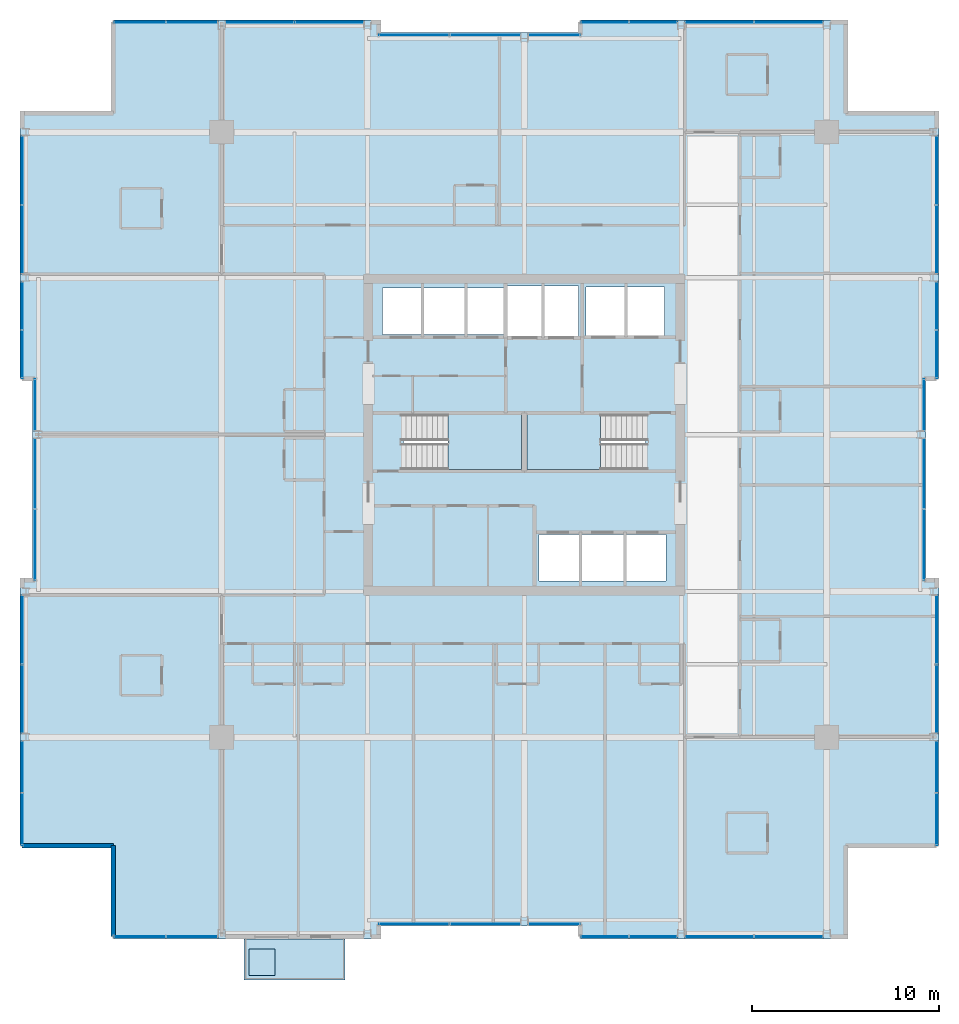
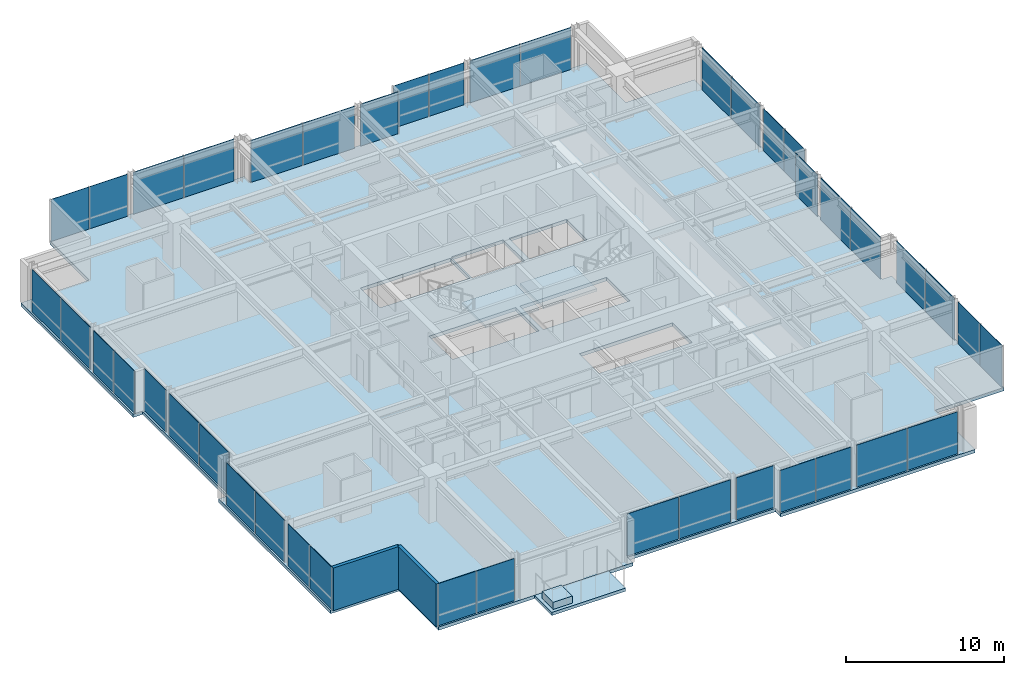
# One storey, part 25 of 32: 42 plates, 5 slabs, 2 walls, 25 elements without a shape of their own.
"""IFC4 building model written with IfcOpenShell, lengths in metres."""

from ifc_helpers import new_model, si_unit, direction, frame, frame_2d, origin, origin_2d, place, context, subcontext, project, spatial, polyline, rectangle, outline, extrude, material, layer, layer_set, type_object, element, aggregate, save


model = new_model("IFC4")

# Units and contexts
model_context = context("Model", 3, precision=1e-05, world=origin(), true_north=direction((0.0, 1.0)))
body_context = subcontext(model_context, "Body", "Model", "MODEL_VIEW")
ifc_project = project(units=[si_unit("LENGTHUNIT", "METRE"), si_unit("AREAUNIT", "SQUARE_METRE"), si_unit("VOLUMEUNIT", "CUBIC_METRE"), si_unit("PLANEANGLEUNIT", "RADIAN"), si_unit("MASSUNIT", "GRAM", prefix="KILO")], contexts=[model_context])

# Site, building, storey
site_placement = place(None, origin())
site = spatial("IfcSite", under=ifc_project, at=site_placement, CompositionType="ELEMENT")
building_placement = place(site_placement, origin())
building = spatial("IfcBuilding", under=site, at=building_placement, Name="Drelvath Grand Hotel", CompositionType="ELEMENT")
storey_placement = place(building_placement, frame((0.0, 0.0, 193.0)))
storey = spatial("IfcBuildingStorey", under=building, at=storey_placement, Name="L50", CompositionType="ELEMENT", Elevation=193.0)

# Slabs
ifc_material_1 = material(Name="Concrete f'c 40 MPa", Category="concrete")
ifc_layer_1 = layer(ifc_material_1, 0.239990234375)
ifc_layer_set_1 = layer_set([ifc_layer_1], Name="Concrete f'c 40 MPa")
slab_type_1 = type_object("IfcSlabType", Name="Cantilevered Tree Balcony Slab 240", PredefinedType="FLOOR", material=ifc_layer_set_1)
slab_1_placement = place(storey_placement, frame((0.0, 0.0, -0.239990234375)))
element("IfcSlab", 1, at=slab_1_placement, inside=storey, type_object=slab_type_1, Name="L50 Cantilevered Tree Balcony Slab 1", PredefinedType="FLOOR", context=body_context, shape_type="SweptSolid", body=[
    extrude(outline(polyline([(-15.0, -2.199951171875), (-9.60009765625, -2.199951171875), (-9.60009765625, 0.0), (-15.0, 0.0), (-15.0, -2.199951171875)])), origin(), (0.0, 0.0, 1.0), 0.239990234375),
])
ifc_layer_2 = layer(ifc_material_1, 0.260009765625)
ifc_layer_set_2 = layer_set([ifc_layer_2], Name="Concrete f'c 40 MPa")
slab_type_2 = type_object("IfcSlabType", Name="Composite RC Floor Slab 260", PredefinedType="FLOOR", material=ifc_layer_set_2)
slab_2_placement = place(storey_placement, frame((0.0, 0.0, -0.260009765625)))
element("IfcSlab", 2, at=slab_2_placement, inside=storey, type_object=slab_type_2, Name="L50 Structural Floor Slab", PredefinedType="FLOOR", context=body_context, shape_type="SweptSolid", body=[
    extrude(outline(polyline([(-22.0, 0.0), (-7.800048828125, 0.0), (-7.800048828125, 0.679931640625), (3.0, 0.679931640625), (3.0, 0.0), (17.199951171875, 0.0), (17.199951171875, 5.0), (22.199951171875, 5.0), (22.199951171875, 19.199951171875), (21.52001953125, 19.199951171875), (21.52001953125, 30.0), (22.199951171875, 30.0), (22.199951171875, 44.199951171875), (17.199951171875, 44.199951171875), (17.199951171875, 49.199951171875), (3.0, 49.199951171875), (3.0, 48.52001953125), (-7.800048828125, 48.52001953125), (-7.800048828125, 49.199951171875), (-22.0, 49.199951171875), (-22.0, 44.199951171875), (-27.0, 44.199951171875), (-27.0, 30.0), (-26.320068359375, 30.0), (-26.320068359375, 19.199951171875), (-27.0, 19.199951171875), (-27.0, 5.0), (-22.0, 5.0), (-22.0, 0.0)]), holes=[polyline([(-6.47998046875, 25.1201171875), (-6.47998046875, 28.080078125), (-0.14990234375, 28.080078125), (-0.14990234375, 25.1201171875), (-6.47998046875, 25.1201171875)]), polyline([(0.14990234375, 25.1201171875), (0.14990234375, 28.080078125), (6.47998046875, 28.080078125), (6.47998046875, 25.1201171875), (0.14990234375, 25.1201171875)]), polyline([(0.800048828125, 19.14990234375), (0.800048828125, 21.64990234375), (7.60009765625, 21.64990234375), (7.60009765625, 19.14990234375), (0.800048828125, 19.14990234375)]), polyline([(-7.60009765625, 32.35009765625), (-7.60009765625, 34.85009765625), (-1.02001953125, 34.85009765625), (-1.02001953125, 32.35009765625), (-7.60009765625, 32.35009765625)]), polyline([(-0.89990234375, 32.25), (-0.89990234375, 34.949951171875), (2.89990234375, 34.949951171875), (2.89990234375, 32.25), (-0.89990234375, 32.25)]), polyline([(3.300048828125, 32.300048828125), (3.300048828125, 34.89990234375), (7.5, 34.89990234375), (7.5, 32.300048828125), (3.300048828125, 32.300048828125)])]), origin(), (0.0, 0.0, 1.0), 0.260009765625),
])

# Stair, slab
ifc_material_2 = material(Name="Concrete C40/50", Category="concrete")
stair_type = type_object("IfcStairType", Name="Dogleg Exit Stair W1400-R177.5", PredefinedType="HALF_TURN_STAIR", material=ifc_material_2)
stair_1_placement = place(storey_placement, origin())
stair_1 = element("IfcStair", 3, at=stair_1_placement, inside=storey, type_object=stair_type, Name="L50 Core Exit Stair ST-1", PredefinedType="HALF_TURN_STAIR")
ifc_layer_3 = layer(ifc_material_2, 0.199951171875)
ifc_layer_set_3 = layer_set([ifc_layer_3], Name="Concrete C40/50")
slab_type_3 = type_object("IfcSlabType", Name="Concrete Stair Landing Slab 200", PredefinedType="LANDING", material=ifc_layer_set_3)
slab_3_placement = place(storey_placement, frame((0.0, 0.0, 1.574951171875)))
slab_3 = element("IfcSlab", 4, at=slab_3_placement, type_object=slab_type_3, Name="ST-1 landing 1", PredefinedType="LANDING", context=body_context, shape_type="SweptSolid", body=[
    extrude(outline(polyline([(-4.080078125, 25.1201171875), (-0.14990234375, 25.1201171875), (-0.14990234375, 28.080078125), (-4.080078125, 28.080078125), (-4.080078125, 25.1201171875)])), origin(), (0.0, 0.0, 1.0), 0.199951171875),
])
aggregate(stair_1, [slab_3])

stair_2_placement = place(storey_placement, origin())
stair_2 = element("IfcStair", 5, at=stair_2_placement, inside=storey, type_object=stair_type, Name="L50 Core Exit Stair ST-2", PredefinedType="HALF_TURN_STAIR")
slab_4_placement = place(storey_placement, frame((0.0, 0.0, 1.574951171875)))
slab_4 = element("IfcSlab", 6, at=slab_4_placement, type_object=slab_type_3, Name="ST-2 landing 1", PredefinedType="LANDING", context=body_context, shape_type="SweptSolid", body=[
    extrude(outline(polyline([(4.080078125, 28.080078125), (0.14990234375, 28.080078125), (0.14990234375, 25.1201171875), (4.080078125, 25.1201171875), (4.080078125, 28.080078125)])), origin(), (0.0, 0.0, 1.0), 0.199951171875),
])
aggregate(stair_2, [slab_4])

# Curtain wall, plates
ifc_material_3 = material(Name="Brushed Pale-Silver Anodised Aluminium Frame", Category="aluminium")
ifc_layer_4 = layer(ifc_material_3, 0.199951171875)
ifc_layer_set_4 = layer_set([ifc_layer_4], Name="Brushed Pale-Silver Anodised Aluminium Frame")
curtain_wall_type = type_object("IfcCurtainWallType", Name="Stick Curtain Wall CW-04 Brushed Silver Upper-Mid", PredefinedType="NOTDEFINED", material=ifc_layer_set_4)
curtain_wall_1_placement = place(storey_placement, origin())
curtain_wall_1 = element("IfcCurtainWall", 7, at=curtain_wall_1_placement, inside=storey, type_object=curtain_wall_type, Name="L50 CW-04 Curtain Wall CW04-L50-WS1", PredefinedType="NOTDEFINED")
ifc_material_4 = material(Name="Low-E Triple Silver Vision Glass Cool", Category="glass")
ifc_layer_5 = layer(ifc_material_4, 0.035888671875)
ifc_layer_set_5 = layer_set([ifc_layer_5], Name="Low-E Triple Silver Vision Glass Cool")
plate_type = type_object("IfcPlateType", Name="Curtain Wall Vision Panel CW-04 36mm", PredefinedType="CURTAIN_PANEL", material=ifc_layer_set_5)
plate_1_placement = place(storey_placement, frame((-26.8798828125, 6.402099609375, 0.02001953125), z_axis=(0.0, 0.0, 1.0), x_axis=(0.0, 1.0, 0.0)))
plate_1 = element("IfcPlate", 8, at=plate_1_placement, type_object=plate_type, Name="CW04-L50-WS1 Glazed Panel 1", PredefinedType="CURTAIN_PANEL", context=body_context, shape_type="SweptSolid", body=[
    extrude(rectangle(XDim=2.76416015625, YDim=0.035888671875, at=origin_2d()), origin(), (0.0, 0.0, 1.0), 3.25),
])
plate_2_placement = place(storey_placement, frame((-26.8798828125, 9.206298828125, 0.02001953125), z_axis=(0.0, 0.0, 1.0), x_axis=(0.0, 1.0, 0.0)))
plate_2 = element("IfcPlate", 9, at=plate_2_placement, type_object=plate_type, Name="CW04-L50-WS1 Glazed Panel 2", PredefinedType="CURTAIN_PANEL", context=body_context, shape_type="SweptSolid", body=[
    extrude(rectangle(XDim=2.76416015625, YDim=0.035888671875, at=origin_2d()), origin(), (0.0, 0.0, 1.0), 3.25),
])
aggregate(curtain_wall_1, [plate_1, plate_2])

curtain_wall_2_placement = place(storey_placement, origin())
curtain_wall_2 = element("IfcCurtainWall", 10, at=curtain_wall_2_placement, inside=storey, type_object=curtain_wall_type, Name="L50 CW-04 Curtain Wall CW04-L50-WS2", PredefinedType="NOTDEFINED")
plate_3_placement = place(storey_placement, frame((-26.8798828125, 12.845947265625, 0.02001953125), z_axis=(0.0, 0.0, 1.0), x_axis=(0.0, 1.0, 0.0)))
plate_3 = element("IfcPlate", 11, at=plate_3_placement, type_object=plate_type, Name="CW04-L50-WS2 Glazed Panel 1", PredefinedType="CURTAIN_PANEL", context=body_context, shape_type="SweptSolid", body=[
    extrude(rectangle(XDim=3.66845703125, YDim=0.035888671875, at=origin_2d()), origin(), (0.0, 0.0, 1.0), 3.25),
])
plate_4_placement = place(storey_placement, frame((-26.8798828125, 16.55419921875, 0.02001953125), z_axis=(0.0, 0.0, 1.0), x_axis=(0.0, 1.0, 0.0)))
plate_4 = element("IfcPlate", 12, at=plate_4_placement, type_object=plate_type, Name="CW04-L50-WS2 Glazed Panel 2", PredefinedType="CURTAIN_PANEL", context=body_context, shape_type="SweptSolid", body=[
    extrude(rectangle(XDim=3.66845703125, YDim=0.035888671875, at=origin_2d()), origin(), (0.0, 0.0, 1.0), 3.25),
])
aggregate(curtain_wall_2, [plate_3, plate_4])

curtain_wall_3_placement = place(storey_placement, origin())
curtain_wall_3 = element("IfcCurtainWall", 13, at=curtain_wall_3_placement, inside=storey, type_object=curtain_wall_type, Name="L50 CW-04 Curtain Wall CW04-L50-WM1", PredefinedType="NOTDEFINED")
plate_5_placement = place(storey_placement, frame((-26.199951171875, 21.10205078125, 0.02001953125), z_axis=(0.0, 0.0, 1.0), x_axis=(0.0, 1.0, 0.0)))
plate_5 = element("IfcPlate", 14, at=plate_5_placement, type_object=plate_type, Name="CW04-L50-WM1 Glazed Panel 1", PredefinedType="CURTAIN_PANEL", context=body_context, shape_type="SweptSolid", body=[
    extrude(rectangle(XDim=3.76416015625, YDim=0.035888671875, at=origin_2d()), origin(), (0.0, 0.0, 1.0), 3.25),
])
plate_6_placement = place(storey_placement, frame((-26.199951171875, 24.90625, 0.02001953125), z_axis=(0.0, 0.0, 1.0), x_axis=(0.0, 1.0, 0.0)))
plate_6 = element("IfcPlate", 15, at=plate_6_placement, type_object=plate_type, Name="CW04-L50-WM1 Glazed Panel 2", PredefinedType="CURTAIN_PANEL", context=body_context, shape_type="SweptSolid", body=[
    extrude(rectangle(XDim=3.76416015625, YDim=0.035888671875, at=origin_2d()), origin(), (0.0, 0.0, 1.0), 3.25),
])
aggregate(curtain_wall_3, [plate_5, plate_6])

# Curtain wall, plate
curtain_wall_4_placement = place(storey_placement, origin())
curtain_wall_4 = element("IfcCurtainWall", 16, at=curtain_wall_4_placement, inside=storey, type_object=curtain_wall_type, Name="L50 CW-04 Curtain Wall CW04-L50-WM2", PredefinedType="NOTDEFINED")
plate_7_placement = place(storey_placement, frame((-26.199951171875, 28.595703125, 0.02001953125), z_axis=(0.0, 0.0, 1.0), x_axis=(0.0, 1.0, 0.0)))
plate_7 = element("IfcPlate", 17, at=plate_7_placement, type_object=plate_type, Name="CW04-L50-WM2 Glazed Panel 1", PredefinedType="CURTAIN_PANEL", context=body_context, shape_type="SweptSolid", body=[
    extrude(rectangle(XDim=2.768310546875, YDim=0.035888671875, at=origin_2d()), origin(), (0.0, 0.0, 1.0), 3.25),
])
aggregate(curtain_wall_4, [plate_7])

# Curtain wall, plates
curtain_wall_5_placement = place(storey_placement, origin())
curtain_wall_5 = element("IfcCurtainWall", 18, at=curtain_wall_5_placement, inside=storey, type_object=curtain_wall_type, Name="L50 CW-04 Curtain Wall CW04-L50-WN1", PredefinedType="NOTDEFINED")
plate_8_placement = place(storey_placement, frame((-26.8798828125, 31.302001953125, 0.02001953125), z_axis=(0.0, 0.0, 1.0), x_axis=(0.0, 1.0, 0.0)))
plate_8 = element("IfcPlate", 19, at=plate_8_placement, type_object=plate_type, Name="CW04-L50-WN1 Glazed Panel 1", PredefinedType="CURTAIN_PANEL", context=body_context, shape_type="SweptSolid", body=[
    extrude(rectangle(XDim=2.564208984375, YDim=0.035888671875, at=origin_2d()), origin(), (0.0, 0.0, 1.0), 3.25),
])
plate_9_placement = place(storey_placement, frame((-26.8798828125, 33.90625, 0.02001953125), z_axis=(0.0, 0.0, 1.0), x_axis=(0.0, 1.0, 0.0)))
plate_9 = element("IfcPlate", 20, at=plate_9_placement, type_object=plate_type, Name="CW04-L50-WN1 Glazed Panel 2", PredefinedType="CURTAIN_PANEL", context=body_context, shape_type="SweptSolid", body=[
    extrude(rectangle(XDim=2.564208984375, YDim=0.035888671875, at=origin_2d()), origin(), (0.0, 0.0, 1.0), 3.25),
])
aggregate(curtain_wall_5, [plate_8, plate_9])

curtain_wall_6_placement = place(storey_placement, origin())
curtain_wall_6 = element("IfcCurtainWall", 21, at=curtain_wall_6_placement, inside=storey, type_object=curtain_wall_type, Name="L50 CW-04 Curtain Wall CW04-L50-WN2", PredefinedType="NOTDEFINED")
plate_10_placement = place(storey_placement, frame((-26.8798828125, 37.44580078125, 0.02001953125), z_axis=(0.0, 0.0, 1.0), x_axis=(0.0, 1.0, 0.0)))
plate_10 = element("IfcPlate", 22, at=plate_10_placement, type_object=plate_type, Name="CW04-L50-WN2 Glazed Panel 1", PredefinedType="CURTAIN_PANEL", context=body_context, shape_type="SweptSolid", body=[
    extrude(rectangle(XDim=3.66845703125, YDim=0.035888671875, at=origin_2d()), origin(), (0.0, 0.0, 1.0), 3.25),
])
plate_11_placement = place(storey_placement, frame((-26.8798828125, 41.154296875, 0.02001953125), z_axis=(0.0, 0.0, 1.0), x_axis=(0.0, 1.0, 0.0)))
plate_11 = element("IfcPlate", 23, at=plate_11_placement, type_object=plate_type, Name="CW04-L50-WN2 Glazed Panel 2", PredefinedType="CURTAIN_PANEL", context=body_context, shape_type="SweptSolid", body=[
    extrude(rectangle(XDim=3.66845703125, YDim=0.035888671875, at=origin_2d()), origin(), (0.0, 0.0, 1.0), 3.25),
])
aggregate(curtain_wall_6, [plate_10, plate_11])

curtain_wall_7_placement = place(storey_placement, origin())
curtain_wall_7 = element("IfcCurtainWall", 24, at=curtain_wall_7_placement, inside=storey, type_object=curtain_wall_type, Name="L50 CW-04 Curtain Wall CW04-L50-EN1", PredefinedType="NOTDEFINED")
plate_12_placement = place(storey_placement, frame((22.080078125, 33.90625, 0.02001953125), z_axis=(0.0, 0.0, 1.0), x_axis=(0.0, -1.0, 0.0)))
plate_12 = element("IfcPlate", 25, at=plate_12_placement, type_object=plate_type, Name="CW04-L50-EN1 Glazed Panel 1", PredefinedType="CURTAIN_PANEL", context=body_context, shape_type="SweptSolid", body=[
    extrude(rectangle(XDim=2.564208984375, YDim=0.035888671875, at=origin_2d()), origin(), (0.0, 0.0, 1.0), 3.25),
])
plate_13_placement = place(storey_placement, frame((22.080078125, 31.302001953125, 0.02001953125), z_axis=(0.0, 0.0, 1.0), x_axis=(0.0, -1.0, 0.0)))
plate_13 = element("IfcPlate", 26, at=plate_13_placement, type_object=plate_type, Name="CW04-L50-EN1 Glazed Panel 2", PredefinedType="CURTAIN_PANEL", context=body_context, shape_type="SweptSolid", body=[
    extrude(rectangle(XDim=2.564208984375, YDim=0.035888671875, at=origin_2d()), origin(), (0.0, 0.0, 1.0), 3.25),
])
aggregate(curtain_wall_7, [plate_12, plate_13])

curtain_wall_8_placement = place(storey_placement, origin())
curtain_wall_8 = element("IfcCurtainWall", 27, at=curtain_wall_8_placement, inside=storey, type_object=curtain_wall_type, Name="L50 CW-04 Curtain Wall CW04-L50-EN2", PredefinedType="NOTDEFINED")
plate_14_placement = place(storey_placement, frame((22.080078125, 41.154296875, 0.02001953125), z_axis=(0.0, 0.0, 1.0), x_axis=(0.0, -1.0, 0.0)))
plate_14 = element("IfcPlate", 28, at=plate_14_placement, type_object=plate_type, Name="CW04-L50-EN2 Glazed Panel 1", PredefinedType="CURTAIN_PANEL", context=body_context, shape_type="SweptSolid", body=[
    extrude(rectangle(XDim=3.66845703125, YDim=0.035888671875, at=origin_2d()), origin(), (0.0, 0.0, 1.0), 3.25),
])
plate_15_placement = place(storey_placement, frame((22.080078125, 37.44580078125, 0.02001953125), z_axis=(0.0, 0.0, 1.0), x_axis=(0.0, -1.0, 0.0)))
plate_15 = element("IfcPlate", 29, at=plate_15_placement, type_object=plate_type, Name="CW04-L50-EN2 Glazed Panel 2", PredefinedType="CURTAIN_PANEL", context=body_context, shape_type="SweptSolid", body=[
    extrude(rectangle(XDim=3.66845703125, YDim=0.035888671875, at=origin_2d()), origin(), (0.0, 0.0, 1.0), 3.25),
])
aggregate(curtain_wall_8, [plate_14, plate_15])

curtain_wall_9_placement = place(storey_placement, origin())
curtain_wall_9 = element("IfcCurtainWall", 30, at=curtain_wall_9_placement, inside=storey, type_object=curtain_wall_type, Name="L50 CW-04 Curtain Wall CW04-L50-EM1", PredefinedType="NOTDEFINED")
plate_16_placement = place(storey_placement, frame((21.39990234375, 24.90625, 0.02001953125), z_axis=(0.0, 0.0, 1.0), x_axis=(0.0, -1.0, 0.0)))
plate_16 = element("IfcPlate", 31, at=plate_16_placement, type_object=plate_type, Name="CW04-L50-EM1 Glazed Panel 1", PredefinedType="CURTAIN_PANEL", context=body_context, shape_type="SweptSolid", body=[
    extrude(rectangle(XDim=3.76416015625, YDim=0.035888671875, at=origin_2d()), origin(), (0.0, 0.0, 1.0), 3.25),
])
plate_17_placement = place(storey_placement, frame((21.39990234375, 21.10205078125, 0.02001953125), z_axis=(0.0, 0.0, 1.0), x_axis=(0.0, -1.0, 0.0)))
plate_17 = element("IfcPlate", 32, at=plate_17_placement, type_object=plate_type, Name="CW04-L50-EM1 Glazed Panel 2", PredefinedType="CURTAIN_PANEL", context=body_context, shape_type="SweptSolid", body=[
    extrude(rectangle(XDim=3.76416015625, YDim=0.035888671875, at=origin_2d()), origin(), (0.0, 0.0, 1.0), 3.25),
])
aggregate(curtain_wall_9, [plate_16, plate_17])

# Curtain wall, plate
curtain_wall_10_placement = place(storey_placement, origin())
curtain_wall_10 = element("IfcCurtainWall", 33, at=curtain_wall_10_placement, inside=storey, type_object=curtain_wall_type, Name="L50 CW-04 Curtain Wall CW04-L50-EM2", PredefinedType="NOTDEFINED")
plate_18_placement = place(storey_placement, frame((21.39990234375, 28.595703125, 0.02001953125), z_axis=(0.0, 0.0, 1.0), x_axis=(0.0, -1.0, 0.0)))
plate_18 = element("IfcPlate", 34, at=plate_18_placement, type_object=plate_type, Name="CW04-L50-EM2 Glazed Panel 1", PredefinedType="CURTAIN_PANEL", context=body_context, shape_type="SweptSolid", body=[
    extrude(rectangle(XDim=2.768310546875, YDim=0.035888671875, at=origin_2d()), origin(), (0.0, 0.0, 1.0), 3.25),
])
aggregate(curtain_wall_10, [plate_18])

# Curtain wall, plates
curtain_wall_11_placement = place(storey_placement, origin())
curtain_wall_11 = element("IfcCurtainWall", 35, at=curtain_wall_11_placement, inside=storey, type_object=curtain_wall_type, Name="L50 CW-04 Curtain Wall CW04-L50-ES1", PredefinedType="NOTDEFINED")
plate_19_placement = place(storey_placement, frame((22.080078125, 9.206298828125, 0.02001953125), z_axis=(0.0, 0.0, 1.0), x_axis=(0.0, -1.0, 0.0)))
plate_19 = element("IfcPlate", 36, at=plate_19_placement, type_object=plate_type, Name="CW04-L50-ES1 Glazed Panel 1", PredefinedType="CURTAIN_PANEL", context=body_context, shape_type="SweptSolid", body=[
    extrude(rectangle(XDim=2.76416015625, YDim=0.035888671875, at=origin_2d()), origin(), (0.0, 0.0, 1.0), 3.25),
])
plate_20_placement = place(storey_placement, frame((22.080078125, 6.402099609375, 0.02001953125), z_axis=(0.0, 0.0, 1.0), x_axis=(0.0, -1.0, 0.0)))
plate_20 = element("IfcPlate", 37, at=plate_20_placement, type_object=plate_type, Name="CW04-L50-ES1 Glazed Panel 2", PredefinedType="CURTAIN_PANEL", context=body_context, shape_type="SweptSolid", body=[
    extrude(rectangle(XDim=2.76416015625, YDim=0.035888671875, at=origin_2d()), origin(), (0.0, 0.0, 1.0), 3.25),
])
aggregate(curtain_wall_11, [plate_19, plate_20])

curtain_wall_12_placement = place(storey_placement, origin())
curtain_wall_12 = element("IfcCurtainWall", 38, at=curtain_wall_12_placement, inside=storey, type_object=curtain_wall_type, Name="L50 CW-04 Curtain Wall CW04-L50-ES2", PredefinedType="NOTDEFINED")
plate_21_placement = place(storey_placement, frame((22.080078125, 16.55419921875, 0.02001953125), z_axis=(0.0, 0.0, 1.0), x_axis=(0.0, -1.0, 0.0)))
plate_21 = element("IfcPlate", 39, at=plate_21_placement, type_object=plate_type, Name="CW04-L50-ES2 Glazed Panel 1", PredefinedType="CURTAIN_PANEL", context=body_context, shape_type="SweptSolid", body=[
    extrude(rectangle(XDim=3.66845703125, YDim=0.035888671875, at=origin_2d()), origin(), (0.0, 0.0, 1.0), 3.25),
])
plate_22_placement = place(storey_placement, frame((22.080078125, 12.845947265625, 0.02001953125), z_axis=(0.0, 0.0, 1.0), x_axis=(0.0, -1.0, 0.0)))
plate_22 = element("IfcPlate", 40, at=plate_22_placement, type_object=plate_type, Name="CW04-L50-ES2 Glazed Panel 2", PredefinedType="CURTAIN_PANEL", context=body_context, shape_type="SweptSolid", body=[
    extrude(rectangle(XDim=3.66845703125, YDim=0.035888671875, at=origin_2d()), origin(), (0.0, 0.0, 1.0), 3.25),
])
aggregate(curtain_wall_12, [plate_21, plate_22])

curtain_wall_13_placement = place(storey_placement, origin())
curtain_wall_13 = element("IfcCurtainWall", 41, at=curtain_wall_13_placement, inside=storey, type_object=curtain_wall_type, Name="L50 CW-04 Curtain Wall CW04-L50-NW1", PredefinedType="NOTDEFINED")
plate_23_placement = place(storey_placement, frame((-20.597900390625, 49.080078125, 0.02001953125), z_axis=(0.0, 0.0, 1.0), x_axis=(1.0, 0.0, 0.0)))
plate_23 = element("IfcPlate", 42, at=plate_23_placement, type_object=plate_type, Name="CW04-L50-NW1 Glazed Panel 1", PredefinedType="CURTAIN_PANEL", context=body_context, shape_type="SweptSolid", body=[
    extrude(rectangle(XDim=2.76416015625, YDim=0.035888671875, at=origin_2d()), origin(), (0.0, 0.0, 1.0), 3.25),
])
plate_24_placement = place(storey_placement, frame((-17.793701171875, 49.080078125, 0.02001953125), z_axis=(0.0, 0.0, 1.0), x_axis=(1.0, 0.0, 0.0)))
plate_24 = element("IfcPlate", 43, at=plate_24_placement, type_object=plate_type, Name="CW04-L50-NW1 Glazed Panel 2", PredefinedType="CURTAIN_PANEL", context=body_context, shape_type="SweptSolid", body=[
    extrude(rectangle(XDim=2.76416015625, YDim=0.035888671875, at=origin_2d()), origin(), (0.0, 0.0, 1.0), 3.25),
])
aggregate(curtain_wall_13, [plate_23, plate_24])

curtain_wall_14_placement = place(storey_placement, origin())
curtain_wall_14 = element("IfcCurtainWall", 44, at=curtain_wall_14_placement, inside=storey, type_object=curtain_wall_type, Name="L50 CW-04 Curtain Wall CW04-L50-NW2", PredefinedType="NOTDEFINED")
plate_25_placement = place(storey_placement, frame((-14.154296875, 49.080078125, 0.02001953125), z_axis=(0.0, 0.0, 1.0), x_axis=(1.0, 0.0, 0.0)))
plate_25 = element("IfcPlate", 45, at=plate_25_placement, type_object=plate_type, Name="CW04-L50-NW2 Glazed Panel 1", PredefinedType="CURTAIN_PANEL", context=body_context, shape_type="SweptSolid", body=[
    extrude(rectangle(XDim=3.66845703125, YDim=0.035888671875, at=origin_2d()), origin(), (0.0, 0.0, 1.0), 3.25),
])
plate_26_placement = place(storey_placement, frame((-10.44580078125, 49.080078125, 0.02001953125), z_axis=(0.0, 0.0, 1.0), x_axis=(1.0, 0.0, 0.0)))
plate_26 = element("IfcPlate", 46, at=plate_26_placement, type_object=plate_type, Name="CW04-L50-NW2 Glazed Panel 2", PredefinedType="CURTAIN_PANEL", context=body_context, shape_type="SweptSolid", body=[
    extrude(rectangle(XDim=3.66845703125, YDim=0.035888671875, at=origin_2d()), origin(), (0.0, 0.0, 1.0), 3.25),
])
aggregate(curtain_wall_14, [plate_25, plate_26])

curtain_wall_15_placement = place(storey_placement, origin())
curtain_wall_15 = element("IfcCurtainWall", 47, at=curtain_wall_15_placement, inside=storey, type_object=curtain_wall_type, Name="L50 CW-04 Curtain Wall CW04-L50-NM1", PredefinedType="NOTDEFINED")
plate_27_placement = place(storey_placement, frame((-5.89794921875, 48.39990234375, 0.02001953125), z_axis=(0.0, 0.0, 1.0), x_axis=(1.0, 0.0, 0.0)))
plate_27 = element("IfcPlate", 48, at=plate_27_placement, type_object=plate_type, Name="CW04-L50-NM1 Glazed Panel 1", PredefinedType="CURTAIN_PANEL", context=body_context, shape_type="SweptSolid", body=[
    extrude(rectangle(XDim=3.76416015625, YDim=0.035888671875, at=origin_2d()), origin(), (0.0, 0.0, 1.0), 3.25),
])
plate_28_placement = place(storey_placement, frame((-2.09375, 48.39990234375, 0.02001953125), z_axis=(0.0, 0.0, 1.0), x_axis=(1.0, 0.0, 0.0)))
plate_28 = element("IfcPlate", 49, at=plate_28_placement, type_object=plate_type, Name="CW04-L50-NM1 Glazed Panel 2", PredefinedType="CURTAIN_PANEL", context=body_context, shape_type="SweptSolid", body=[
    extrude(rectangle(XDim=3.76416015625, YDim=0.035888671875, at=origin_2d()), origin(), (0.0, 0.0, 1.0), 3.25),
])
aggregate(curtain_wall_15, [plate_27, plate_28])

# Curtain wall, plate
curtain_wall_16_placement = place(storey_placement, origin())
curtain_wall_16 = element("IfcCurtainWall", 50, at=curtain_wall_16_placement, inside=storey, type_object=curtain_wall_type, Name="L50 CW-04 Curtain Wall CW04-L50-NM2", PredefinedType="NOTDEFINED")
plate_29_placement = place(storey_placement, frame((1.595703125, 48.39990234375, 0.02001953125), z_axis=(0.0, 0.0, 1.0), x_axis=(1.0, 0.0, 0.0)))
plate_29 = element("IfcPlate", 51, at=plate_29_placement, type_object=plate_type, Name="CW04-L50-NM2 Glazed Panel 1", PredefinedType="CURTAIN_PANEL", context=body_context, shape_type="SweptSolid", body=[
    extrude(rectangle(XDim=2.768310546875, YDim=0.035888671875, at=origin_2d()), origin(), (0.0, 0.0, 1.0), 3.25),
])
aggregate(curtain_wall_16, [plate_29])

# Curtain wall, plates
curtain_wall_17_placement = place(storey_placement, origin())
curtain_wall_17 = element("IfcCurtainWall", 52, at=curtain_wall_17_placement, inside=storey, type_object=curtain_wall_type, Name="L50 CW-04 Curtain Wall CW04-L50-NE1", PredefinedType="NOTDEFINED")
plate_30_placement = place(storey_placement, frame((4.302001953125, 49.080078125, 0.02001953125), z_axis=(0.0, 0.0, 1.0), x_axis=(1.0, 0.0, 0.0)))
plate_30 = element("IfcPlate", 53, at=plate_30_placement, type_object=plate_type, Name="CW04-L50-NE1 Glazed Panel 1", PredefinedType="CURTAIN_PANEL", context=body_context, shape_type="SweptSolid", body=[
    extrude(rectangle(XDim=2.564208984375, YDim=0.035888671875, at=origin_2d()), origin(), (0.0, 0.0, 1.0), 3.25),
])
plate_31_placement = place(storey_placement, frame((6.90625, 49.080078125, 0.02001953125), z_axis=(0.0, 0.0, 1.0), x_axis=(1.0, 0.0, 0.0)))
plate_31 = element("IfcPlate", 54, at=plate_31_placement, type_object=plate_type, Name="CW04-L50-NE1 Glazed Panel 2", PredefinedType="CURTAIN_PANEL", context=body_context, shape_type="SweptSolid", body=[
    extrude(rectangle(XDim=2.564208984375, YDim=0.035888671875, at=origin_2d()), origin(), (0.0, 0.0, 1.0), 3.25),
])
aggregate(curtain_wall_17, [plate_30, plate_31])

curtain_wall_18_placement = place(storey_placement, origin())
curtain_wall_18 = element("IfcCurtainWall", 55, at=curtain_wall_18_placement, inside=storey, type_object=curtain_wall_type, Name="L50 CW-04 Curtain Wall CW04-L50-NE2", PredefinedType="NOTDEFINED")
plate_32_placement = place(storey_placement, frame((10.44580078125, 49.080078125, 0.02001953125), z_axis=(0.0, 0.0, 1.0), x_axis=(1.0, 0.0, 0.0)))
plate_32 = element("IfcPlate", 56, at=plate_32_placement, type_object=plate_type, Name="CW04-L50-NE2 Glazed Panel 1", PredefinedType="CURTAIN_PANEL", context=body_context, shape_type="SweptSolid", body=[
    extrude(rectangle(XDim=3.66845703125, YDim=0.035888671875, at=origin_2d()), origin(), (0.0, 0.0, 1.0), 3.25),
])
plate_33_placement = place(storey_placement, frame((14.154296875, 49.080078125, 0.02001953125), z_axis=(0.0, 0.0, 1.0), x_axis=(1.0, 0.0, 0.0)))
plate_33 = element("IfcPlate", 57, at=plate_33_placement, type_object=plate_type, Name="CW04-L50-NE2 Glazed Panel 2", PredefinedType="CURTAIN_PANEL", context=body_context, shape_type="SweptSolid", body=[
    extrude(rectangle(XDim=3.66845703125, YDim=0.035888671875, at=origin_2d()), origin(), (0.0, 0.0, 1.0), 3.25),
])
aggregate(curtain_wall_18, [plate_32, plate_33])

curtain_wall_19_placement = place(storey_placement, origin())
curtain_wall_19 = element("IfcCurtainWall", 58, at=curtain_wall_19_placement, inside=storey, type_object=curtain_wall_type, Name="L50 CW-04 Curtain Wall CW04-L50-SE1", PredefinedType="NOTDEFINED")
plate_34_placement = place(storey_placement, frame((6.90625, 0.1201171875, 0.02001953125), z_axis=(0.0, 0.0, 1.0), x_axis=(-1.0, 0.0, 0.0)))
plate_34 = element("IfcPlate", 59, at=plate_34_placement, type_object=plate_type, Name="CW04-L50-SE1 Glazed Panel 1", PredefinedType="CURTAIN_PANEL", context=body_context, shape_type="SweptSolid", body=[
    extrude(rectangle(XDim=2.564208984375, YDim=0.035888671875, at=origin_2d()), origin(), (0.0, 0.0, 1.0), 3.25),
])
plate_35_placement = place(storey_placement, frame((4.302001953125, 0.1201171875, 0.02001953125), z_axis=(0.0, 0.0, 1.0), x_axis=(-1.0, 0.0, 0.0)))
plate_35 = element("IfcPlate", 60, at=plate_35_placement, type_object=plate_type, Name="CW04-L50-SE1 Glazed Panel 2", PredefinedType="CURTAIN_PANEL", context=body_context, shape_type="SweptSolid", body=[
    extrude(rectangle(XDim=2.564208984375, YDim=0.035888671875, at=origin_2d()), origin(), (0.0, 0.0, 1.0), 3.25),
])
aggregate(curtain_wall_19, [plate_34, plate_35])

curtain_wall_20_placement = place(storey_placement, origin())
curtain_wall_20 = element("IfcCurtainWall", 61, at=curtain_wall_20_placement, inside=storey, type_object=curtain_wall_type, Name="L50 CW-04 Curtain Wall CW04-L50-SE2", PredefinedType="NOTDEFINED")
plate_36_placement = place(storey_placement, frame((14.154296875, 0.1201171875, 0.02001953125), z_axis=(0.0, 0.0, 1.0), x_axis=(-1.0, 0.0, 0.0)))
plate_36 = element("IfcPlate", 62, at=plate_36_placement, type_object=plate_type, Name="CW04-L50-SE2 Glazed Panel 1", PredefinedType="CURTAIN_PANEL", context=body_context, shape_type="SweptSolid", body=[
    extrude(rectangle(XDim=3.66845703125, YDim=0.035888671875, at=origin_2d()), origin(), (0.0, 0.0, 1.0), 3.25),
])
plate_37_placement = place(storey_placement, frame((10.44580078125, 0.1201171875, 0.02001953125), z_axis=(0.0, 0.0, 1.0), x_axis=(-1.0, 0.0, 0.0)))
plate_37 = element("IfcPlate", 63, at=plate_37_placement, type_object=plate_type, Name="CW04-L50-SE2 Glazed Panel 2", PredefinedType="CURTAIN_PANEL", context=body_context, shape_type="SweptSolid", body=[
    extrude(rectangle(XDim=3.66845703125, YDim=0.035888671875, at=origin_2d()), origin(), (0.0, 0.0, 1.0), 3.25),
])
aggregate(curtain_wall_20, [plate_36, plate_37])

curtain_wall_21_placement = place(storey_placement, origin())
curtain_wall_21 = element("IfcCurtainWall", 64, at=curtain_wall_21_placement, inside=storey, type_object=curtain_wall_type, Name="L50 CW-04 Curtain Wall CW04-L50-SM1", PredefinedType="NOTDEFINED")
plate_38_placement = place(storey_placement, frame((-2.09375, 0.800048828125, 0.02001953125), z_axis=(0.0, 0.0, 1.0), x_axis=(-1.0, 0.0, 0.0)))
plate_38 = element("IfcPlate", 65, at=plate_38_placement, type_object=plate_type, Name="CW04-L50-SM1 Glazed Panel 1", PredefinedType="CURTAIN_PANEL", context=body_context, shape_type="SweptSolid", body=[
    extrude(rectangle(XDim=3.76416015625, YDim=0.035888671875, at=origin_2d()), origin(), (0.0, 0.0, 1.0), 3.25),
])
plate_39_placement = place(storey_placement, frame((-5.89794921875, 0.800048828125, 0.02001953125), z_axis=(0.0, 0.0, 1.0), x_axis=(-1.0, 0.0, 0.0)))
plate_39 = element("IfcPlate", 66, at=plate_39_placement, type_object=plate_type, Name="CW04-L50-SM1 Glazed Panel 2", PredefinedType="CURTAIN_PANEL", context=body_context, shape_type="SweptSolid", body=[
    extrude(rectangle(XDim=3.76416015625, YDim=0.035888671875, at=origin_2d()), origin(), (0.0, 0.0, 1.0), 3.25),
])
aggregate(curtain_wall_21, [plate_38, plate_39])

# Curtain wall, plate
curtain_wall_22_placement = place(storey_placement, origin())
curtain_wall_22 = element("IfcCurtainWall", 67, at=curtain_wall_22_placement, inside=storey, type_object=curtain_wall_type, Name="L50 CW-04 Curtain Wall CW04-L50-SM2", PredefinedType="NOTDEFINED")
plate_40_placement = place(storey_placement, frame((1.595703125, 0.800048828125, 0.02001953125), z_axis=(0.0, 0.0, 1.0), x_axis=(-1.0, 0.0, 0.0)))
plate_40 = element("IfcPlate", 68, at=plate_40_placement, type_object=plate_type, Name="CW04-L50-SM2 Glazed Panel 1", PredefinedType="CURTAIN_PANEL", context=body_context, shape_type="SweptSolid", body=[
    extrude(rectangle(XDim=2.768310546875, YDim=0.035888671875, at=origin_2d()), origin(), (0.0, 0.0, 1.0), 3.25),
])
aggregate(curtain_wall_22, [plate_40])

# Curtain wall, plates
curtain_wall_23_placement = place(storey_placement, origin())
curtain_wall_23 = element("IfcCurtainWall", 69, at=curtain_wall_23_placement, inside=storey, type_object=curtain_wall_type, Name="L50 CW-04 Curtain Wall CW04-L50-SW1", PredefinedType="NOTDEFINED")
plate_41_placement = place(storey_placement, frame((-17.793701171875, 0.1201171875, 0.02001953125), z_axis=(0.0, 0.0, 1.0), x_axis=(-1.0, 0.0, 0.0)))
plate_41 = element("IfcPlate", 70, at=plate_41_placement, type_object=plate_type, Name="CW04-L50-SW1 Glazed Panel 1", PredefinedType="CURTAIN_PANEL", context=body_context, shape_type="SweptSolid", body=[
    extrude(rectangle(XDim=2.76416015625, YDim=0.035888671875, at=origin_2d()), origin(), (0.0, 0.0, 1.0), 3.25),
])
plate_42_placement = place(storey_placement, frame((-20.597900390625, 0.1201171875, 0.02001953125), z_axis=(0.0, 0.0, 1.0), x_axis=(-1.0, 0.0, 0.0)))
plate_42 = element("IfcPlate", 71, at=plate_42_placement, type_object=plate_type, Name="CW04-L50-SW1 Glazed Panel 2", PredefinedType="CURTAIN_PANEL", context=body_context, shape_type="SweptSolid", body=[
    extrude(rectangle(XDim=2.76416015625, YDim=0.035888671875, at=origin_2d()), origin(), (0.0, 0.0, 1.0), 3.25),
])
aggregate(curtain_wall_23, [plate_41, plate_42])

# Slab
ifc_layer_6 = layer(ifc_material_1, 0.550048828125)
ifc_layer_set_6 = layer_set([ifc_layer_6], Name="Concrete f'c 40 MPa")
slab_type_4 = type_object("IfcSlabType", Name="Structural Tree Planter Box 550", PredefinedType="USERDEFINED", material=ifc_layer_set_6)
slab_5_placement = place(storey_placement, origin())
element("IfcSlab", 72, at=slab_5_placement, inside=storey, type_object=slab_type_4, Name="L50 Tree Balcony Structural Planter 1", ObjectType="PLANTER", PredefinedType="USERDEFINED", context=body_context, shape_type="SweptSolid", body=[
    extrude(outline(polyline([(-14.75, -1.949951171875), (-13.35009765625, -1.949951171875), (-13.35009765625, -0.550048828125), (-14.75, -0.550048828125), (-14.75, -1.949951171875)])), origin(), (0.0, 0.0, 1.0), 0.550048828125),
])

# Walls
ifc_material_5 = material(Name="Pale-Metal Insulated Aluminium Spandrel Assembly", Category="aluminium")
ifc_layer_7 = layer(ifc_material_5, 0.239990234375)
ifc_layer_set_7 = layer_set([ifc_layer_7], Name="Pale-Metal Insulated Aluminium Spandrel Assembly")
wall_type = type_object("IfcWallType", Name="Tower Insulated Metal Spandrel Closure Wall 240", PredefinedType="STANDARD", material=ifc_layer_set_7)
for number, where, z_axis, x_axis, name in (
    (73, (-22.0, 0.1201171875, 0.0), (0.0, 0.0, 1.0), (0.0, 1.0, 0.0), "L50 Notched Corner Return Spandrel Wall CSW1"),
    (74, (-22.0, 5.0, 0.0), (0.0, 0.0, 1.0), (-1.0, 0.0, 0.0), "L50 Notched Corner Return Spandrel Wall CSW2"),
):
    element("IfcWall", number, at=place(storey_placement, frame(where, z_axis=z_axis, x_axis=x_axis)), inside=storey, type_object=wall_type, Name=name, PredefinedType="STANDARD", context=body_context, shape_type="SweptSolid", body=[
        extrude(rectangle(XDim=4.8798828125, YDim=0.239990234375, at=frame_2d((2.43994140625, 0.0))), origin(), (0.0, 0.0, 1.0), 3.2900390625),
    ])

save(model, "model.ifc")
